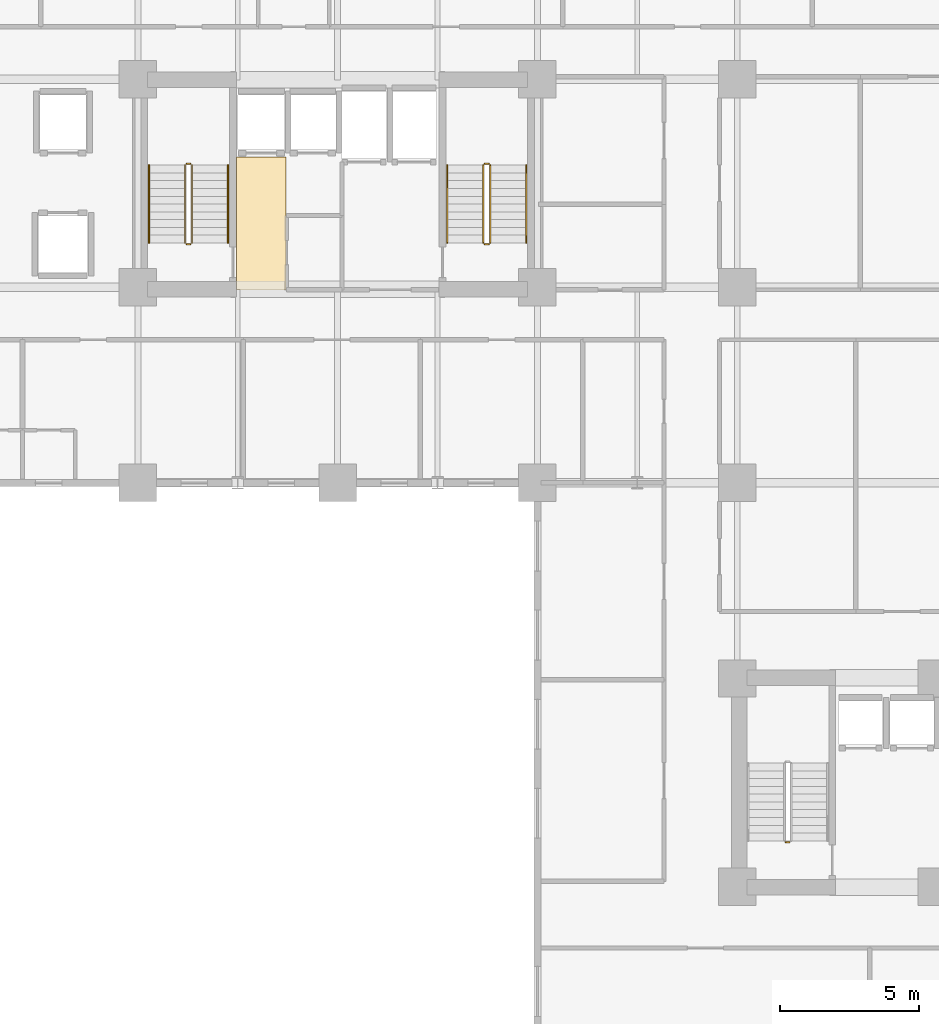
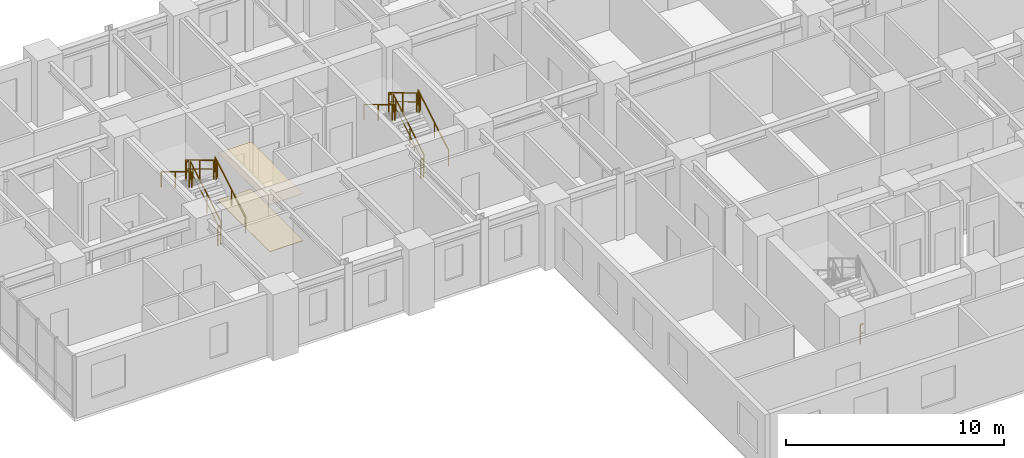
# One storey, part 17 of 19: 13 railings, 2 coverings.
"""IFC4 building model written with IfcOpenShell, lengths in metres."""

from ifc_helpers import new_model, si_unit, direction, frame, origin, origin_2d, place, context, subcontext, project, spatial, rectangle, extrude, source, transform, mapped, material, layer, layer_set, type_object, element, save


model = new_model("IFC4")

# Units and contexts
model_context = context("Model", 3, precision=1e-05, world=origin(), true_north=direction((0.0, 1.0)))
body_context = subcontext(model_context, "Body", "Model", "MODEL_VIEW")
ifc_project = project(units=[si_unit("LENGTHUNIT", "METRE"), si_unit("AREAUNIT", "SQUARE_METRE"), si_unit("VOLUMEUNIT", "CUBIC_METRE"), si_unit("PLANEANGLEUNIT", "RADIAN"), si_unit("MASSUNIT", "GRAM", prefix="KILO")], contexts=[model_context])

# Site, building, storey
site_placement = place(None, origin())
site = spatial("IfcSite", under=ifc_project, at=site_placement, CompositionType="ELEMENT")
building_placement = place(site_placement, origin())
building = spatial("IfcBuilding", under=site, at=building_placement, Name="Kaliganga Portal Commons", CompositionType="ELEMENT")
storey_placement = place(building_placement, frame((0.0, 0.0, 32.699951171875)))
storey = spatial("IfcBuildingStorey", under=building, at=storey_placement, Name="L07", CompositionType="ELEMENT", Elevation=32.699951171875)

# Railings
ifc_material_1 = material(Name="Galvanized Painted Steel Balustrade", Category="steel")
railing_type_1 = type_object("IfcRailingType", Name="RLG-STAIR-GRD", PredefinedType="GUARDRAIL", material=ifc_material_1)
railing_1_placement = place(storey_placement, frame((16.35009765625, 30.25, 0.168212890625)))
element("IfcRailing", 1, at=railing_1_placement, inside=storey, type_object=railing_type_1, Name="L07 ST-A1 stair guard 1", PredefinedType="GUARDRAIL", context=body_context, shape_type="SweptSolid", body=[
    extrude(rectangle(XDim=0.048095703125, YDim=0.048095703125, at=origin_2d()), frame((0.0, 0.0, 1.072021484375), z_axis=(0.0, 0.857242210791, 0.514913383045), x_axis=(-1.0, 0.0, 0.0)), (0.0, 0.0, 1.0), 3.266357421875),
    extrude(rectangle(XDim=0.028076171875, YDim=0.028076171875, at=origin_2d()), frame((0.0, 0.0, 0.572021484375), z_axis=(0.0, 0.857242210791, 0.514913383045), x_axis=(-1.0, 0.0, 0.0)), (0.0, 0.0, 1.0), 3.266357421875),
    extrude(rectangle(XDim=0.0419921875, YDim=0.0419921875, at=origin_2d()), origin(), (0.0, 0.0, 1.0), 1.052001953125),
    extrude(rectangle(XDim=0.0419921875, YDim=0.0419921875, at=origin_2d()), frame((0.0, 1.285888671875, 0.7724609375)), (0.0, 0.0, 1.0), 1.052001953125),
    extrude(rectangle(XDim=0.0419921875, YDim=0.0419921875, at=origin_2d()), frame((0.0, 2.57177734375, 1.544677734375)), (0.0, 0.0, 1.0), 1.052001953125),
    extrude(rectangle(XDim=0.0419921875, YDim=0.0419921875, at=origin_2d()), frame((0.0, 2.800048828125, 1.681884765625)), (0.0, 0.0, 1.0), 1.052001953125),
])
railing_2_placement = place(storey_placement, frame((16.300048828125, 33.10009765625, 1.85009765625)))
element("IfcRailing", 2, at=railing_2_placement, inside=storey, type_object=railing_type_1, Name="L07 ST-A1 stair guard 2", PredefinedType="GUARDRAIL", context=body_context, shape_type="SweptSolid", body=[
    extrude(rectangle(XDim=0.048095703125, YDim=0.048095703125, at=origin_2d()), frame((0.0, 0.0, 1.076171875), z_axis=(-1.0, 0.0, 0.0), x_axis=(0.0, -1.0, 0.0)), (0.0, 0.0, 1.0), 0.150146484375),
    extrude(rectangle(XDim=0.028076171875, YDim=0.028076171875, at=origin_2d()), frame((0.0, 0.0, 0.572021484375), z_axis=(-1.0, 0.0, 0.0), x_axis=(0.0, -1.0, 0.0)), (0.0, 0.0, 1.0), 0.150146484375),
    extrude(rectangle(XDim=0.0419921875, YDim=0.0419921875, at=origin_2d()), origin(), (0.0, 0.0, 1.0), 1.052001953125),
    extrude(rectangle(XDim=0.0419921875, YDim=0.0419921875, at=origin_2d()), frame((-0.150146484375, 0.0, 0.0)), (0.0, 0.0, 1.0), 1.052001953125),
])
railing_3_placement = place(storey_placement, frame((16.10009765625, 33.050048828125, 2.018310546875)))
element("IfcRailing", 3, at=railing_3_placement, inside=storey, type_object=railing_type_1, Name="L07 ST-A1 stair guard 3", PredefinedType="GUARDRAIL", context=body_context, shape_type="SweptSolid", body=[
    extrude(rectangle(XDim=0.048095703125, YDim=0.048095703125, at=origin_2d()), frame((0.0, 0.0, 1.072021484375), z_axis=(0.0, -0.857275202839, 0.514858452973), x_axis=(1.0, 0.0, 0.0)), (0.0, 0.0, 1.0), 3.26611328125),
    extrude(rectangle(XDim=0.028076171875, YDim=0.028076171875, at=origin_2d()), frame((0.0, 0.0, 0.572021484375), z_axis=(0.0, -0.857275202839, 0.514858452973), x_axis=(1.0, 0.0, 0.0)), (0.0, 0.0, 1.0), 3.26611328125),
    extrude(rectangle(XDim=0.0419921875, YDim=0.0419921875, at=origin_2d()), origin(), (0.0, 0.0, 1.0), 1.052001953125),
    extrude(rectangle(XDim=0.0419921875, YDim=0.0419921875, at=origin_2d()), frame((0.0, -1.285888671875, 0.772216796875)), (0.0, 0.0, 1.0), 1.052001953125),
    extrude(rectangle(XDim=0.0419921875, YDim=0.0419921875, at=origin_2d()), frame((0.0, -2.57177734375, 1.544677734375)), (0.0, 0.0, 1.0), 1.052001953125),
    extrude(rectangle(XDim=0.0419921875, YDim=0.0419921875, at=origin_2d()), frame((0.0, -2.800048828125, 1.681640625)), (0.0, 0.0, 1.0), 1.052001953125),
])
railing_4_placement = place(storey_placement, frame((16.300048828125, 30.199951171875, 0.0)))
element("IfcRailing", 4, at=railing_4_placement, inside=storey, type_object=railing_type_1, Name="L07 ST-A1 stair guard 4", PredefinedType="GUARDRAIL", context=body_context, shape_type="SweptSolid", body=[
    extrude(rectangle(XDim=0.048095703125, YDim=0.048095703125, at=origin_2d()), frame((0.0, 0.0, 1.076171875), z_axis=(-1.0, 0.0, 0.0), x_axis=(0.0, -1.0, 0.0)), (0.0, 0.0, 1.0), 0.150146484375),
    extrude(rectangle(XDim=0.028076171875, YDim=0.028076171875, at=origin_2d()), frame((0.0, 0.0, 0.572021484375), z_axis=(-1.0, 0.0, 0.0), x_axis=(0.0, -1.0, 0.0)), (0.0, 0.0, 1.0), 0.150146484375),
    extrude(rectangle(XDim=0.0419921875, YDim=0.0419921875, at=origin_2d()), origin(), (0.0, 0.0, 1.0), 1.052001953125),
    extrude(rectangle(XDim=0.0419921875, YDim=0.0419921875, at=origin_2d()), frame((-0.150146484375, 0.0, 0.0)), (0.0, 0.0, 1.0), 1.052001953125),
])
railing_5_placement = place(storey_placement, frame((27.10009765625, 30.25, 0.168212890625)))
element("IfcRailing", 5, at=railing_5_placement, inside=storey, type_object=railing_type_1, Name="L07 ST-A2 stair guard 1", PredefinedType="GUARDRAIL", context=body_context, shape_type="SweptSolid", body=[
    extrude(rectangle(XDim=0.048095703125, YDim=0.048095703125, at=origin_2d()), frame((0.0, 0.0, 1.072021484375), z_axis=(0.0, 0.857242210791, 0.514913383045), x_axis=(-1.0, 0.0, 0.0)), (0.0, 0.0, 1.0), 3.266357421875),
    extrude(rectangle(XDim=0.028076171875, YDim=0.028076171875, at=origin_2d()), frame((0.0, 0.0, 0.572021484375), z_axis=(0.0, 0.857242210791, 0.514913383045), x_axis=(-1.0, 0.0, 0.0)), (0.0, 0.0, 1.0), 3.266357421875),
    extrude(rectangle(XDim=0.0419921875, YDim=0.0419921875, at=origin_2d()), origin(), (0.0, 0.0, 1.0), 1.052001953125),
    extrude(rectangle(XDim=0.0419921875, YDim=0.0419921875, at=origin_2d()), frame((0.0, 1.285888671875, 0.7724609375)), (0.0, 0.0, 1.0), 1.052001953125),
    extrude(rectangle(XDim=0.0419921875, YDim=0.0419921875, at=origin_2d()), frame((0.0, 2.57177734375, 1.544677734375)), (0.0, 0.0, 1.0), 1.052001953125),
    extrude(rectangle(XDim=0.0419921875, YDim=0.0419921875, at=origin_2d()), frame((0.0, 2.800048828125, 1.681884765625)), (0.0, 0.0, 1.0), 1.052001953125),
])
railing_6_placement = place(storey_placement, frame((27.050048828125, 33.10009765625, 1.85009765625)))
element("IfcRailing", 6, at=railing_6_placement, inside=storey, type_object=railing_type_1, Name="L07 ST-A2 stair guard 2", PredefinedType="GUARDRAIL", context=body_context, shape_type="SweptSolid", body=[
    extrude(rectangle(XDim=0.048095703125, YDim=0.048095703125, at=origin_2d()), frame((0.0, 0.0, 1.076171875), z_axis=(-1.0, 0.0, 0.0), x_axis=(0.0, -1.0, 0.0)), (0.0, 0.0, 1.0), 0.150146484375),
    extrude(rectangle(XDim=0.028076171875, YDim=0.028076171875, at=origin_2d()), frame((0.0, 0.0, 0.572021484375), z_axis=(-1.0, 0.0, 0.0), x_axis=(0.0, -1.0, 0.0)), (0.0, 0.0, 1.0), 0.150146484375),
    extrude(rectangle(XDim=0.0419921875, YDim=0.0419921875, at=origin_2d()), origin(), (0.0, 0.0, 1.0), 1.052001953125),
    extrude(rectangle(XDim=0.0419921875, YDim=0.0419921875, at=origin_2d()), frame((-0.150146484375, 0.0, 0.0)), (0.0, 0.0, 1.0), 1.052001953125),
])
railing_7_placement = place(storey_placement, frame((26.85009765625, 33.050048828125, 2.018310546875)))
element("IfcRailing", 7, at=railing_7_placement, inside=storey, type_object=railing_type_1, Name="L07 ST-A2 stair guard 3", PredefinedType="GUARDRAIL", context=body_context, shape_type="SweptSolid", body=[
    extrude(rectangle(XDim=0.048095703125, YDim=0.048095703125, at=origin_2d()), frame((0.0, 0.0, 1.072021484375), z_axis=(0.0, -0.857275202839, 0.514858452973), x_axis=(1.0, 0.0, 0.0)), (0.0, 0.0, 1.0), 3.26611328125),
    extrude(rectangle(XDim=0.028076171875, YDim=0.028076171875, at=origin_2d()), frame((0.0, 0.0, 0.572021484375), z_axis=(0.0, -0.857275202839, 0.514858452973), x_axis=(1.0, 0.0, 0.0)), (0.0, 0.0, 1.0), 3.26611328125),
    extrude(rectangle(XDim=0.0419921875, YDim=0.0419921875, at=origin_2d()), origin(), (0.0, 0.0, 1.0), 1.052001953125),
    extrude(rectangle(XDim=0.0419921875, YDim=0.0419921875, at=origin_2d()), frame((0.0, -1.285888671875, 0.772216796875)), (0.0, 0.0, 1.0), 1.052001953125),
    extrude(rectangle(XDim=0.0419921875, YDim=0.0419921875, at=origin_2d()), frame((0.0, -2.57177734375, 1.544677734375)), (0.0, 0.0, 1.0), 1.052001953125),
    extrude(rectangle(XDim=0.0419921875, YDim=0.0419921875, at=origin_2d()), frame((0.0, -2.800048828125, 1.681640625)), (0.0, 0.0, 1.0), 1.052001953125),
])
railing_8_placement = place(storey_placement, frame((27.050048828125, 30.199951171875, 0.0)))
element("IfcRailing", 8, at=railing_8_placement, inside=storey, type_object=railing_type_1, Name="L07 ST-A2 stair guard 4", PredefinedType="GUARDRAIL", context=body_context, shape_type="SweptSolid", body=[
    extrude(rectangle(XDim=0.048095703125, YDim=0.048095703125, at=origin_2d()), frame((0.0, 0.0, 1.076171875), z_axis=(-1.0, 0.0, 0.0), x_axis=(0.0, -1.0, 0.0)), (0.0, 0.0, 1.0), 0.150146484375),
    extrude(rectangle(XDim=0.028076171875, YDim=0.028076171875, at=origin_2d()), frame((0.0, 0.0, 0.572021484375), z_axis=(-1.0, 0.0, 0.0), x_axis=(0.0, -1.0, 0.0)), (0.0, 0.0, 1.0), 0.150146484375),
    extrude(rectangle(XDim=0.0419921875, YDim=0.0419921875, at=origin_2d()), origin(), (0.0, 0.0, 1.0), 1.052001953125),
    extrude(rectangle(XDim=0.0419921875, YDim=0.0419921875, at=origin_2d()), frame((-0.150146484375, 0.0, 0.0)), (0.0, 0.0, 1.0), 1.052001953125),
])
railing_9_placement = place(storey_placement, frame((37.89990234375, 8.64990234375, 0.0)))
element("IfcRailing", 9, at=railing_9_placement, inside=storey, type_object=railing_type_1, Name="L07 ST-B1 stair guard 4", PredefinedType="GUARDRAIL", context=body_context, shape_type="SweptSolid", body=[
    extrude(rectangle(XDim=0.048095703125, YDim=0.048095703125, at=origin_2d()), frame((0.0, 0.0, 1.076171875), z_axis=(-1.0, 0.0, 0.0), x_axis=(0.0, -1.0, 0.0)), (0.0, 0.0, 1.0), 0.14990234375),
    extrude(rectangle(XDim=0.028076171875, YDim=0.028076171875, at=origin_2d()), frame((0.0, 0.0, 0.572021484375), z_axis=(-1.0, 0.0, 0.0), x_axis=(0.0, -1.0, 0.0)), (0.0, 0.0, 1.0), 0.14990234375),
    extrude(rectangle(XDim=0.0419921875, YDim=0.0419921875, at=origin_2d()), frame((-0.14990234375, 0.0, 0.0)), (0.0, 0.0, 1.0), 1.052001953125),
])
ifc_material_2 = material(Name="Brushed Stainless Steel 316", Category="steel")
railing_type_2 = type_object("IfcRailingType", Name="RLG-STAIR-HR", PredefinedType="HANDRAIL", material=ifc_material_2)
railing_10_placement = place(storey_placement, frame((17.64990234375, 30.25, 0.168212890625)))
element("IfcRailing", 10, at=railing_10_placement, inside=storey, type_object=railing_type_2, Name="L07 ST-A1 stair handrail 1", PredefinedType="HANDRAIL", context=body_context, shape_type="SweptSolid", body=[
    extrude(rectangle(XDim=0.048095703125, YDim=0.048095703125, at=origin_2d()), frame((0.0, 0.0, 0.871826171875), z_axis=(0.0, 0.857242210791, 0.514913383045), x_axis=(-1.0, 0.0, 0.0)), (0.0, 0.0, 1.0), 3.266357421875),
    extrude(rectangle(XDim=0.0419921875, YDim=0.0419921875, at=origin_2d()), origin(), (0.0, 0.0, 1.0), 0.851806640625),
    extrude(rectangle(XDim=0.0419921875, YDim=0.0419921875, at=origin_2d()), frame((0.0, 1.285888671875, 0.7724609375)), (0.0, 0.0, 1.0), 0.851806640625),
    extrude(rectangle(XDim=0.0419921875, YDim=0.0419921875, at=origin_2d()), frame((0.0, 2.57177734375, 1.544677734375)), (0.0, 0.0, 1.0), 0.851806640625),
    extrude(rectangle(XDim=0.0419921875, YDim=0.0419921875, at=origin_2d()), frame((0.0, 2.800048828125, 1.681884765625)), (0.0, 0.0, 1.0), 0.851806640625),
])
railing_11_placement = place(storey_placement, frame((14.800048828125, 33.050048828125, 2.018310546875)))
element("IfcRailing", 11, at=railing_11_placement, inside=storey, type_object=railing_type_2, Name="L07 ST-A1 stair handrail 2", PredefinedType="HANDRAIL", context=body_context, shape_type="SweptSolid", body=[
    extrude(rectangle(XDim=0.048095703125, YDim=0.048095703125, at=origin_2d()), frame((0.0, 0.0, 0.871826171875), z_axis=(0.0, -0.857275202839, 0.514858452973), x_axis=(1.0, 0.0, 0.0)), (0.0, 0.0, 1.0), 3.26611328125),
    extrude(rectangle(XDim=0.0419921875, YDim=0.0419921875, at=origin_2d()), origin(), (0.0, 0.0, 1.0), 0.851806640625),
    extrude(rectangle(XDim=0.0419921875, YDim=0.0419921875, at=origin_2d()), frame((0.0, -1.285888671875, 0.772216796875)), (0.0, 0.0, 1.0), 0.851806640625),
    extrude(rectangle(XDim=0.0419921875, YDim=0.0419921875, at=origin_2d()), frame((0.0, -2.57177734375, 1.544677734375)), (0.0, 0.0, 1.0), 0.851806640625),
    extrude(rectangle(XDim=0.0419921875, YDim=0.0419921875, at=origin_2d()), frame((0.0, -2.800048828125, 1.681640625)), (0.0, 0.0, 1.0), 0.851806640625),
])
railing_12_placement = place(storey_placement, frame((28.39990234375, 30.25, 0.168212890625)))
element("IfcRailing", 12, at=railing_12_placement, inside=storey, type_object=railing_type_2, Name="L07 ST-A2 stair handrail 1", PredefinedType="HANDRAIL", context=body_context, shape_type="SweptSolid", body=[
    extrude(rectangle(XDim=0.048095703125, YDim=0.048095703125, at=origin_2d()), frame((0.0, 0.0, 0.871826171875), z_axis=(0.0, 0.857242210791, 0.514913383045), x_axis=(-1.0, 0.0, 0.0)), (0.0, 0.0, 1.0), 3.266357421875),
    extrude(rectangle(XDim=0.0419921875, YDim=0.0419921875, at=origin_2d()), origin(), (0.0, 0.0, 1.0), 0.851806640625),
    extrude(rectangle(XDim=0.0419921875, YDim=0.0419921875, at=origin_2d()), frame((0.0, 1.285888671875, 0.7724609375)), (0.0, 0.0, 1.0), 0.851806640625),
    extrude(rectangle(XDim=0.0419921875, YDim=0.0419921875, at=origin_2d()), frame((0.0, 2.57177734375, 1.544677734375)), (0.0, 0.0, 1.0), 0.851806640625),
    extrude(rectangle(XDim=0.0419921875, YDim=0.0419921875, at=origin_2d()), frame((0.0, 2.800048828125, 1.681884765625)), (0.0, 0.0, 1.0), 0.851806640625),
])
railing_13_placement = place(storey_placement, frame((25.550048828125, 33.050048828125, 2.018310546875)))
element("IfcRailing", 13, at=railing_13_placement, inside=storey, type_object=railing_type_2, Name="L07 ST-A2 stair handrail 2", PredefinedType="HANDRAIL", context=body_context, shape_type="SweptSolid", body=[
    extrude(rectangle(XDim=0.048095703125, YDim=0.048095703125, at=origin_2d()), frame((0.0, 0.0, 0.871826171875), z_axis=(0.0, -0.857275202839, 0.514858452973), x_axis=(1.0, 0.0, 0.0)), (0.0, 0.0, 1.0), 3.26611328125),
    extrude(rectangle(XDim=0.0419921875, YDim=0.0419921875, at=origin_2d()), origin(), (0.0, 0.0, 1.0), 0.851806640625),
    extrude(rectangle(XDim=0.0419921875, YDim=0.0419921875, at=origin_2d()), frame((0.0, -1.285888671875, 0.772216796875)), (0.0, 0.0, 1.0), 0.851806640625),
    extrude(rectangle(XDim=0.0419921875, YDim=0.0419921875, at=origin_2d()), frame((0.0, -2.57177734375, 1.544677734375)), (0.0, 0.0, 1.0), 0.851806640625),
    extrude(rectangle(XDim=0.0419921875, YDim=0.0419921875, at=origin_2d()), frame((0.0, -2.800048828125, 1.681640625)), (0.0, 0.0, 1.0), 0.851806640625),
])

# Coverings
ifc_material_3 = material(Name="Acoustic Micro-Perforated Gypsum Ceiling", Category="gypsum")
ifc_layer_1 = layer(ifc_material_3, 0.02001953125)
ifc_layer_set_1 = layer_set([ifc_layer_1], Name="Acoustic Micro-Perforated Gypsum Ceiling")
covering_type_1 = type_object("IfcCoveringType", Name="COV-CEIL-GYP", PredefinedType="CEILING", material=ifc_layer_set_1)
shared_shape_1 = source(origin(), body_context, "Body", "SweptSolid", [
    extrude(rectangle(XDim=1.780029296875, YDim=4.780029296875, at=origin_2d()), origin(), (0.0, 0.0, 1.0), 0.02001953125),
])
covering_1_placement = place(storey_placement, frame((18.85009765625, 30.949951171875, 2.64013671875), z_axis=(0.0, 0.0, 1.0), x_axis=(1.0, 0.0, 0.0)))
element("IfcCovering", 14, at=covering_1_placement, inside=storey, type_object=covering_type_1, Name="Acoustic Ceiling L07 PLOB_A", PredefinedType="CEILING", context=body_context, shape_type="MappedRepresentation", body=[
    mapped(shared_shape_1, transform((0.0, 0.0, 0.0), x_axis=(1.0, 0.0, 0.0), y_axis=(0.0, 1.0, 0.0), z_axis=(0.0, 0.0, 1.0), scale=1.0)),
])
ifc_material_4 = material(Name="Polished Sylhet Stone Terrazzo Flooring", Category="masonry")
ifc_layer_2 = layer(ifc_material_4, 0.02490234375)
ifc_layer_set_2 = layer_set([ifc_layer_2], Name="Polished Sylhet Stone Terrazzo Flooring")
covering_type_2 = type_object("IfcCoveringType", Name="COV-FLR-TERRAZZO", PredefinedType="FLOORING", material=ifc_layer_set_2)
shared_shape_2 = source(origin(), body_context, "Body", "SweptSolid", [
    extrude(rectangle(XDim=1.780029296875, YDim=4.780029296875, at=origin_2d()), origin(), (0.0, 0.0, 1.0), 0.02490234375),
])
covering_2_placement = place(storey_placement, frame((18.85009765625, 30.949951171875, 0.00048828125), z_axis=(0.0, 0.0, 1.0), x_axis=(1.0, 0.0, 0.0)))
element("IfcCovering", 15, at=covering_2_placement, inside=storey, type_object=covering_type_2, Name="Terrazzo Flooring L07 PLOB_A", PredefinedType="FLOORING", context=body_context, shape_type="MappedRepresentation", body=[
    mapped(shared_shape_2, transform((0.0, 0.0, 0.0), x_axis=(1.0, 0.0, 0.0), y_axis=(0.0, 1.0, 0.0), z_axis=(0.0, 0.0, 1.0), scale=1.0)),
])

save(model, "model.ifc")
